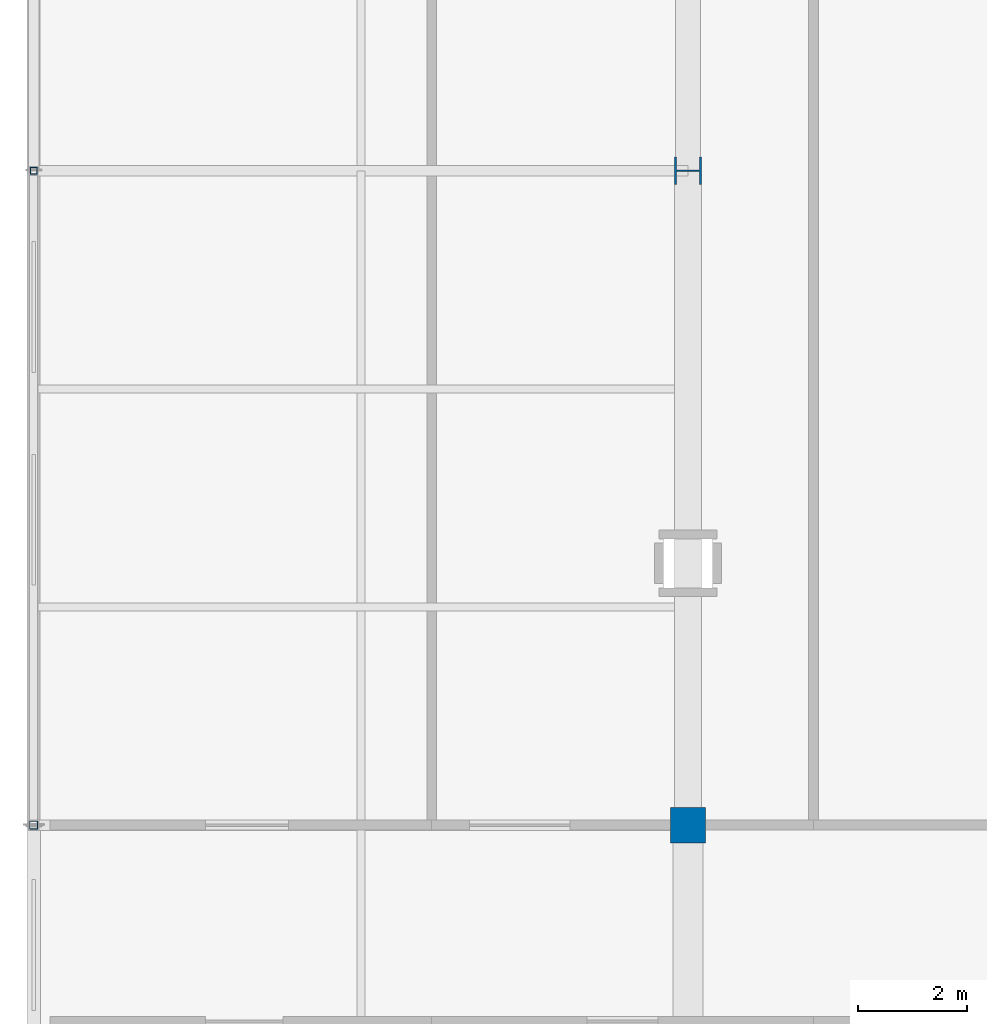
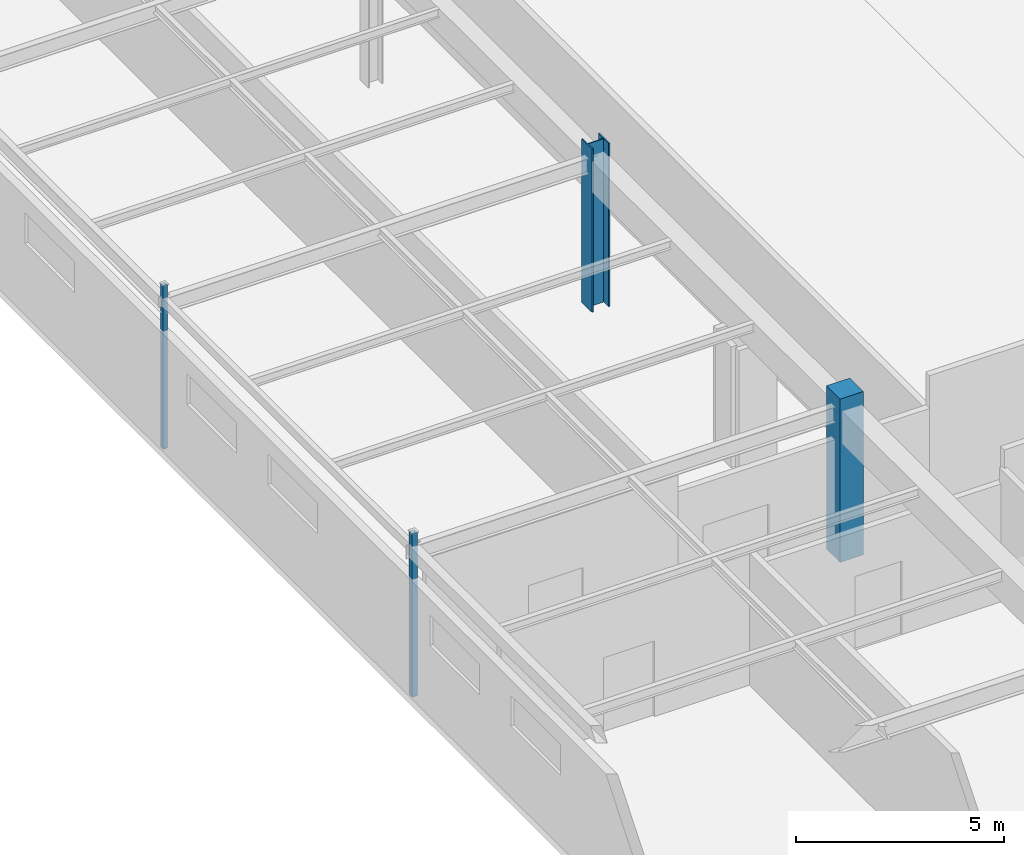
# One storey, part 17 of 186: 4 columns.
"""IFC4 building model written with IfcOpenShell, lengths in metres."""

from ifc_helpers import new_model, si_unit, direction, frame, origin, origin_2d, place, context, subcontext, project, spatial, rectangle, hollow_rectangle, i_section, extrude, material, material_profile, profile_set, type_object, element, save


model = new_model("IFC4")

# Units and contexts
model_context = context("Model", 3, precision=1e-05, world=origin(), true_north=direction((0.0, 1.0)))
body_context = subcontext(model_context, "Body", "Model", "MODEL_VIEW")
ifc_project = project(units=[si_unit("LENGTHUNIT", "METRE"), si_unit("AREAUNIT", "SQUARE_METRE"), si_unit("VOLUMEUNIT", "CUBIC_METRE"), si_unit("PLANEANGLEUNIT", "RADIAN"), si_unit("MASSUNIT", "GRAM", prefix="KILO")], contexts=[model_context])

# Site, building, storey
site_placement = place(None, origin())
site = spatial("IfcSite", under=ifc_project, at=site_placement, CompositionType="ELEMENT")
building_placement = place(site_placement, origin())
building = spatial("IfcBuilding", under=site, at=building_placement, Name="Tarnwether General Hospital", CompositionType="ELEMENT")
storey_placement = place(building_placement, frame((0.0, 0.0, 9.60009765625)))
storey = spatial("IfcBuildingStorey", under=building, at=storey_placement, Name="L02", CompositionType="ELEMENT", Elevation=9.60009765625)

# Columns
ifc_material_1 = material(Name="Steel Grade 350 (350 MPa)", Category="steel")
ifc_material_profile_1 = material_profile(ifc_material_1, i_section(OverallWidth=0.5, OverallDepth=0.5, WebThickness=0.02197265625, FlangeThickness=0.035888671875, at=origin_2d()), Name="500WC380")
ifc_profile_set_1 = profile_set([ifc_material_profile_1], Name="Steel Grade 350 (350 MPa)")
column_type_1 = type_object("IfcColumnType", Name="COL-01", PredefinedType="COLUMN", material=ifc_profile_set_1)
column_1_placement = place(storey_placement, frame((12.0, 93.60009765625, 0.0), z_axis=(0.0, 0.0, 1.0), x_axis=(0.0, 1.0, 0.0)))
element("IfcColumn", 1, at=column_1_placement, inside=storey, type_object=column_type_1, Name="Column COLG-L02-1200_9360", PredefinedType="COLUMN", context=body_context, shape_type="SweptSolid", body=[
    extrude(i_section(OverallWidth=0.5, OverallDepth=0.5, WebThickness=0.02197265625, FlangeThickness=0.035888671875, at=origin_2d()), origin(), (0.0, 0.0, 1.0), 4.7998046875),
])
ifc_material_2 = material(Name="Steel Grade C350L0 (350 MPa)", Category="steel")
ifc_material_profile_2 = material_profile(ifc_material_2, hollow_rectangle(XDim=0.14990234375, YDim=0.14990234375, WallThickness=0.008056640625, at=origin_2d()), Name="SHS150x150x8")
ifc_profile_set_2 = profile_set([ifc_material_profile_2], Name="Steel Grade C350L0 (350 MPa)")
column_type_2 = type_object("IfcColumnType", Name="COL-33", PredefinedType="COLUMN", material=ifc_profile_set_2)
column_2_placement = place(storey_placement, frame((0.0, 81.60009765625, 0.0), z_axis=(0.0, 0.0, 1.0), x_axis=(1.0, 0.0, 0.0)))
element("IfcColumn", 2, at=column_2_placement, inside=storey, type_object=column_type_2, Name="Column COLG-L02-0_8160", PredefinedType="COLUMN", context=body_context, shape_type="SweptSolid", body=[
    extrude(hollow_rectangle(XDim=0.14990234375, YDim=0.14990234375, WallThickness=0.008056640625, at=origin_2d()), origin(), (0.0, 0.0, 1.0), 4.7998046875),
])
ifc_material_3 = material(Name="Steel Grade C350L0 (350 MPa)", Category="steel")
ifc_material_profile_3 = material_profile(ifc_material_3, hollow_rectangle(XDim=0.125, YDim=0.125, WallThickness=0.006103515625, at=origin_2d()), Name="SHS125x125x6")
ifc_profile_set_3 = profile_set([ifc_material_profile_3], Name="Steel Grade C350L0 (350 MPa)")
column_type_3 = type_object("IfcColumnType", Name="COL-34", PredefinedType="COLUMN", material=ifc_profile_set_3)
column_3_placement = place(storey_placement, frame((0.0, 93.60009765625, 0.0), z_axis=(0.0, 0.0, 1.0), x_axis=(1.0, 0.0, 0.0)))
element("IfcColumn", 3, at=column_3_placement, inside=storey, type_object=column_type_3, Name="Column COLG-L02-0_9360", PredefinedType="COLUMN", context=body_context, shape_type="SweptSolid", body=[
    extrude(hollow_rectangle(XDim=0.125, YDim=0.125, WallThickness=0.006103515625, at=origin_2d()), origin(), (0.0, 0.0, 1.0), 4.7998046875),
])
ifc_material_4 = material(Name="Concrete 50 MPa", Category="concrete")
ifc_material_profile_4 = material_profile(ifc_material_4, rectangle(XDim=0.64990234375, YDim=0.64990234375, at=origin_2d()), Name="RC-COL-650x650")
ifc_profile_set_4 = profile_set([ifc_material_profile_4], Name="Concrete 50 MPa")
column_type_4 = type_object("IfcColumnType", Name="COL-35", PredefinedType="COLUMN", material=ifc_profile_set_4)
column_4_placement = place(storey_placement, frame((12.0, 81.60009765625, 0.0), z_axis=(0.0, 0.0, 1.0), x_axis=(0.0, 1.0, 0.0)))
element("IfcColumn", 4, at=column_4_placement, inside=storey, type_object=column_type_4, Name="Column COLG-L02-1200_8160", PredefinedType="COLUMN", context=body_context, shape_type="SweptSolid", body=[
    extrude(rectangle(XDim=0.64990234375, YDim=0.64990234375, at=origin_2d()), origin(), (0.0, 0.0, 1.0), 4.7998046875),
])

save(model, "model.ifc")
